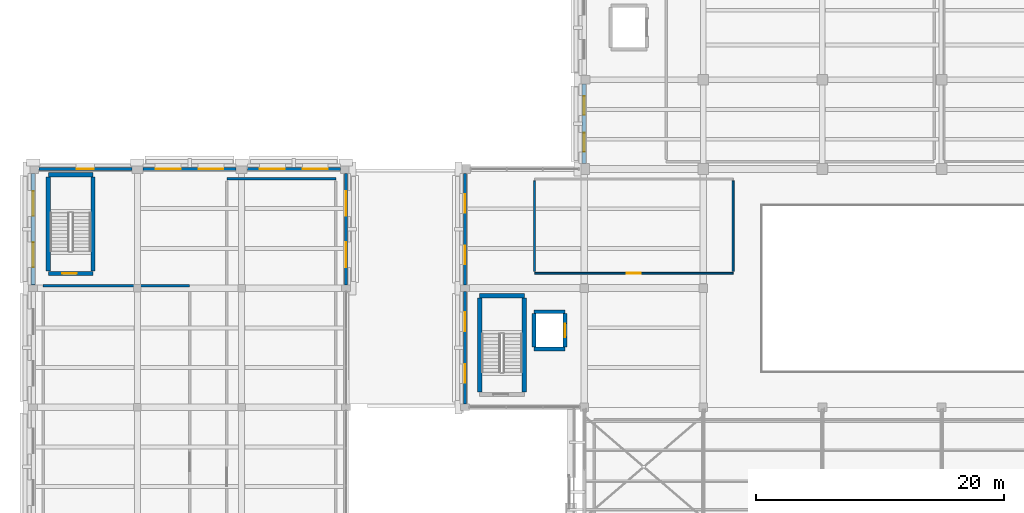
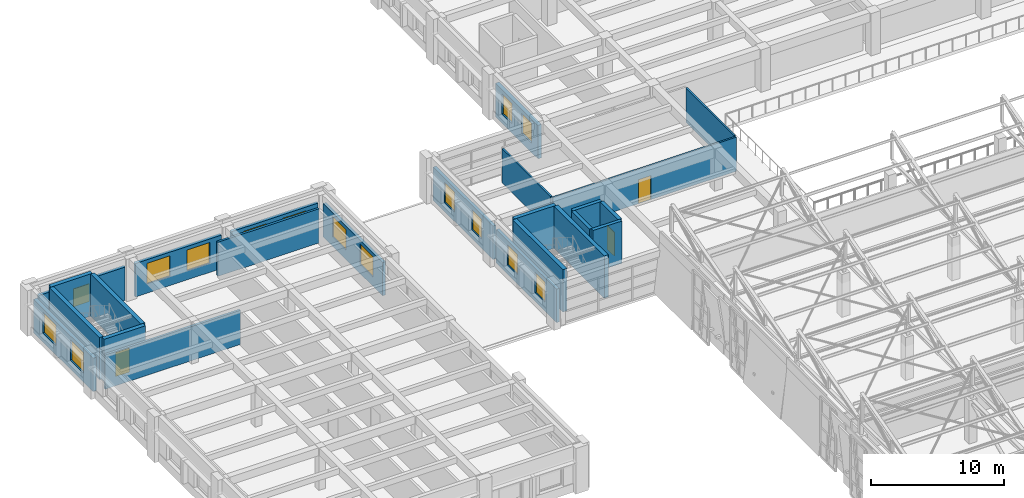
# One storey, part 58 of 71: 24 walls, 15 windows, 3 doors, 18 openings.
"""IFC4 building model written with IfcOpenShell, lengths in metres."""

import ifcopenshell
import ifcopenshell.guid

model = None  # the IFC model being written
_history = None  # IfcOwnerHistory: only IFC2X3 demands one
_inside = {}  # id of a spatial element -> (the spatial element, [elements in it])
_under = {}  # id of a project, library or spatial element -> (it, [spatial elements below it])
_declared = {}  # id of a project -> (the project, [libraries it declares])
_typed = {}  # id of a type object -> (the type object, [elements of that type])
_made_of = {}  # id of a material, layer set ... -> (it, [elements and type objects made of it])


def new_model(schema):
    """Start an empty IFC model of exactly this schema.

    Asked for "IFC4X3", IfcOpenShell would pick the latest addendum, in which some entities
    have other attributes; the version numbers below select the first issue.
    IFC2X3 requires an IfcOwnerHistory on every rooted entity: one is made here for all.
    """
    global model, _history
    if schema == "IFC4X3":
        model = ifcopenshell.file(schema_version=(4, 3, 0, 0))
    else:
        model = ifcopenshell.file(schema=schema)
    _inside.clear()
    _under.clear()
    _declared.clear()
    _typed.clear()
    _made_of.clear()
    _history = None
    if model.schema == "IFC2X3":
        org = make("IfcOrganization", Name="unknown")
        user = make(
            "IfcPersonAndOrganization",
            ThePerson=make("IfcPerson", FamilyName="unknown"),
            TheOrganization=org,
        )
        app = make(
            "IfcApplication",
            ApplicationDeveloper=org,
            Version="unknown",
            ApplicationFullName="unknown",
            ApplicationIdentifier="unknown",
        )
        _history = make(
            "IfcOwnerHistory",
            OwningUser=user,
            OwningApplication=app,
            ChangeAction="ADDED",
            CreationDate=0,
        )
    return model


def make(cls, **values):
    """One entity of the class cls with the attributes given. An attribute that is None is left unset."""
    return model.create_entity(
        cls, **{name: value for name, value in values.items() if value is not None}
    )


def rooted(cls, **values):
    """An entity with a GlobalId (a new one), such as an element, a storey or a relation."""
    return make(cls, GlobalId=ifcopenshell.guid.new(), OwnerHistory=_history, **values)


def si_unit(unit_type, name, prefix=None):
    """IfcSIUnit, for example si_unit("LENGTHUNIT", "METRE", prefix="MILLI")."""
    return make("IfcSIUnit", UnitType=unit_type, Prefix=prefix, Name=name)


def assignment(units):
    """IfcUnitAssignment: the units of a project."""
    return None if units is None else make("IfcUnitAssignment", Units=units)


def point(xyz):
    """IfcCartesianPoint."""
    return None if xyz is None else make("IfcCartesianPoint", Coordinates=xyz)


def direction(xyz):
    """IfcDirection."""
    return None if xyz is None else make("IfcDirection", DirectionRatios=xyz)


def frame(location, z_axis=None, x_axis=None):
    """IfcAxis2Placement3D, a coordinate frame: its origin and axes. An axis left out is left unset."""
    return make(
        "IfcAxis2Placement3D",
        Location=point(location),
        Axis=direction(z_axis),
        RefDirection=direction(x_axis),
    )


def frame_2d(location, x_axis=None):
    """IfcAxis2Placement2D, a coordinate frame in the plane: its origin and x axis."""
    return make(
        "IfcAxis2Placement2D", Location=point(location), RefDirection=direction(x_axis)
    )


def origin():
    """The frame at (0, 0, 0) with its axes left unset."""
    return frame((0.0, 0.0, 0.0))


def place(relative_to, where):
    """IfcLocalPlacement: puts the frame where relative to a parent placement (None: the world)."""
    return make(
        "IfcLocalPlacement", PlacementRelTo=relative_to, RelativePlacement=where
    )


def context(
    kind, dimensions, precision=None, world=None, true_north=None, identifier=None
):
    """IfcGeometricRepresentationContext, for example the 3D "Model" context."""
    return make(
        "IfcGeometricRepresentationContext",
        ContextIdentifier=identifier,
        ContextType=kind,
        CoordinateSpaceDimension=dimensions,
        Precision=precision,
        WorldCoordinateSystem=world,
        TrueNorth=true_north,
    )


def subcontext(parent, identifier, kind, view, scale=None):
    """IfcGeometricRepresentationSubContext, for example "Body" below "Model"."""
    return make(
        "IfcGeometricRepresentationSubContext",
        ContextIdentifier=identifier,
        ContextType=kind,
        ParentContext=parent,
        TargetScale=scale,
        TargetView=view,
    )


def project(units=None, contexts=None):
    """IfcProject with its units and contexts."""
    return rooted(
        "IfcProject",
        Name="project",
        RepresentationContexts=contexts,
        UnitsInContext=assignment(units),
    )


def spatial(cls, under=None, at=None, **own):
    """A site, building, storey or space (cls), placed at a placement, below another one or the project."""
    s = rooted(cls, ObjectPlacement=at, **own)
    if under is not None:
        _under.setdefault(under.id(), (under, []))[1].append(s)
    return s


def profile(cls, at=None, kind="AREA", **sizes):
    """A parametric profile (cls). Its sizes go by their IFC names, for example OverallWidth=200.0."""
    return make(cls, ProfileType=kind, Position=at, **sizes)


def rectangle(**sizes):
    """IfcRectangleProfileDef."""
    return profile("IfcRectangleProfileDef", **sizes)


def extrude(swept, where, along, depth):
    """IfcExtrudedAreaSolid: the profile swept, set in the frame where, extruded along a direction by depth."""
    return make(
        "IfcExtrudedAreaSolid",
        SweptArea=swept,
        Position=where,
        ExtrudedDirection=direction(along),
        Depth=depth,
    )


def shape(context_of_items, identifier, shape_type, items):
    """IfcShapeRepresentation: the items that make up one representation, for example the "Body"."""
    return make(
        "IfcShapeRepresentation",
        ContextOfItems=context_of_items,
        RepresentationIdentifier=identifier,
        RepresentationType=shape_type,
        Items=items,
    )


def material(Name=None, Category=None):
    """IfcMaterial."""
    return make("IfcMaterial", Name=Name, Category=Category)


def layer(
    of_material, thickness, ventilated=None, Name=None, Category=None, Priority=None
):
    """IfcMaterialLayer: one layer of a wall or slab, of a material (None: an air gap)."""
    return make(
        "IfcMaterialLayer",
        Material=of_material,
        LayerThickness=thickness,
        IsVentilated=ventilated,
        Name=Name,
        Category=Category,
        Priority=Priority,
    )


def layer_set(layers, Name=None):
    """IfcMaterialLayerSet."""
    return make("IfcMaterialLayerSet", MaterialLayers=layers, LayerSetName=Name)


def made_of(thing, what):
    """Note that an element or type object is made of a material, layer set ...; save() writes the relation."""
    if what is not None:
        _made_of.setdefault(what.id(), (what, []))[1].append(thing)
    return thing


def type_object(cls, material=None, **own):
    """A type object (cls), such as IfcWallType, which elements share."""
    return made_of(rooted(cls, **own), material)


def element(
    cls,
    number,
    at=None,
    inside=None,
    cuts=None,
    type_object=None,
    material=None,
    context=None,
    identifier="Body",
    shape_type=None,
    held_by="IfcProductDefinitionShape",
    body=None,
    shapes=None,
    **own,
):
    """One element of the class cls, such as IfcWall. Its Tag is "e" and its number.

    at: its placement. inside: the storey or other place that contains it. cuts: it is an
    opening in that element (IfcRelVoidsElement). A single representation is given by context,
    identifier, shape_type and body (its items); several are given by shapes. held_by: the class
    of the entity that holds the representations. save() writes the other relations.
    """
    e = rooted(cls, Tag="e%d" % number, ObjectPlacement=at, **own)
    if body is not None:
        shapes = [shape(context, identifier, shape_type, body)]
    if shapes is not None:
        e.Representation = make(held_by, Representations=shapes)
    if inside is not None:
        _inside.setdefault(inside.id(), (inside, []))[1].append(e)
    if cuts is not None:
        rooted(
            "IfcRelVoidsElement", RelatingBuildingElement=cuts, RelatedOpeningElement=e
        )
    if type_object is not None:
        _typed.setdefault(type_object.id(), (type_object, []))[1].append(e)
    return made_of(e, material)


def fill(opening, filler):
    """IfcRelFillsElement: the door or window that sits in an opening."""
    return rooted(
        "IfcRelFillsElement",
        RelatingOpeningElement=opening,
        RelatedBuildingElement=filler,
    )


def aggregate(whole, parts):
    """IfcRelAggregates: a whole, such as a stair, and the parts it consists of."""
    return rooted("IfcRelAggregates", RelatingObject=whole, RelatedObjects=parts)


def save(model, path):
    """Write the relations noted so far, then the file.

    IfcRelAggregates (storeys below a building ...), IfcRelContainedInSpatialStructure (elements
    in a storey), IfcRelDefinesByType, IfcRelAssociatesMaterial and IfcRelDeclares: one each for
    every whole, place, type object, material and project.
    """
    for whole, parts in _under.values():
        aggregate(whole, parts)
    for where, things in _inside.values():
        rooted(
            "IfcRelContainedInSpatialStructure",
            RelatedElements=things,
            RelatingStructure=where,
        )
    for kind, things in _typed.values():
        rooted("IfcRelDefinesByType", RelatedObjects=things, RelatingType=kind)
    for what, things in _made_of.values():
        rooted("IfcRelAssociatesMaterial", RelatedObjects=things, RelatingMaterial=what)
    for by, libraries in _declared.values():
        rooted("IfcRelDeclares", RelatingContext=by, RelatedDefinitions=libraries)
    model.write(path)


model = new_model("IFC4")

# Units and contexts
model_context = context("Model", 3, precision=1e-05, world=origin(), true_north=direction((0.0, 1.0)))
body_context = subcontext(model_context, "Body", "Model", "MODEL_VIEW")
ifc_project = project(units=[si_unit("LENGTHUNIT", "METRE"), si_unit("AREAUNIT", "SQUARE_METRE"), si_unit("VOLUMEUNIT", "CUBIC_METRE"), si_unit("PLANEANGLEUNIT", "RADIAN"), si_unit("MASSUNIT", "GRAM", prefix="KILO")], contexts=[model_context])

# Site, building, storey
site_placement = place(None, origin())
site = spatial("IfcSite", under=ifc_project, at=site_placement, CompositionType="ELEMENT")
building_placement = place(site_placement, origin())
building = spatial("IfcBuilding", under=site, at=building_placement, Name="Bempovik Park Faculty of Sciences", CompositionType="ELEMENT")
storey_placement = place(building_placement, frame((0.0, 0.0, 14.10009765625)))
storey = spatial("IfcBuildingStorey", under=building, at=storey_placement, Name="L03", CompositionType="ELEMENT", Elevation=14.10009765625)

# Walls
ifc_material_1 = material(Name="Concrete C40/50", Category="concrete")
ifc_layer_1 = layer(ifc_material_1, 0.300048828125)
ifc_layer_set_1 = layer_set([ifc_layer_1], Name="Concrete C40/50")
wall_type_1 = type_object("IfcWallType", Name="W-31 Wall 300mm", PredefinedType="SHEAR", material=ifc_layer_set_1)
for number, where, z_axis, x_axis, name in (
    (1, (55.949951171875, 72.5, 0.0), (0.0, 0.0, 1.0), (1.0, 0.0, 0.0), "Lift LF-3 L03 Shaft Wall South"),
    (2, (55.949951171875, 75.5, 0.0), (0.0, 0.0, 1.0), (1.0, 0.0, 0.0), "Lift LF-3 L03 Shaft Wall North"),
):
    element("IfcWall", number, at=place(storey_placement, frame(where, z_axis=z_axis, x_axis=x_axis)), inside=storey, type_object=wall_type_1, Name=name, PredefinedType="SHEAR", context=body_context, shape_type="SweptSolid", body=[
        extrude(rectangle(XDim=2.5, YDim=0.300048828125, at=frame_2d((1.25, 0.0))), origin(), (0.0, 0.0, 1.0), 3.89990234375),
    ])
wall_1_placement = place(storey_placement, frame((55.949951171875, 72.64990234375, 0.0), z_axis=(0.0, 0.0, 1.0), x_axis=(0.0, 1.0, 0.0)))
element("IfcWall", 3, at=wall_1_placement, inside=storey, type_object=wall_type_1, Name="Lift LF-3 L03 Shaft Wall West", PredefinedType="SHEAR", context=body_context, shape_type="SweptSolid", body=[
    extrude(rectangle(XDim=2.7001953125, YDim=0.300048828125, at=frame_2d((1.35009765625, 0.0))), origin(), (0.0, 0.0, 1.0), 3.89990234375),
])

# Wall, opening, door
wall_2_placement = place(storey_placement, frame((58.449951171875, 72.64990234375, 0.0), z_axis=(0.0, 0.0, 1.0), x_axis=(0.0, 1.0, 0.0)))
wall_2 = element("IfcWall", 4, at=wall_2_placement, inside=storey, type_object=wall_type_1, Name="Lift LF-3 L03 Shaft Wall East", PredefinedType="SHEAR", context=body_context, shape_type="SweptSolid", body=[
    extrude(rectangle(XDim=2.7001953125, YDim=0.300048828125, at=frame_2d((1.35009765625, 0.0))), origin(), (0.0, 0.0, 1.0), 3.89990234375),
])
opening_1_placement = place(wall_2_placement, frame((0.800048828125, 0.0, 0.0)))
opening_1 = element("IfcOpeningElement", 5, at=opening_1_placement, cuts=wall_2, Name="Opening LD-02", PredefinedType="OPENING", context=body_context, shape_type="SweptSolid", body=[
    extrude(rectangle(XDim=1.10009765625, YDim=2.199951171875, at=frame_2d((0.550048828125, 1.10009765625))), frame((0.0, 0.16015625, 0.0), z_axis=(0.0, -1.0, 0.0), x_axis=(1.0, 0.0, 0.0)), (0.0, 0.0, 1.0), 0.320068359375),
])
ifc_material_2 = material(Name="Anodised aluminium", Category="aluminium")
door_type_1 = type_object("IfcDoorType", Name="LD-02 Door 1100x2200", OperationType="NOTDEFINED", PredefinedType="DOOR", material=ifc_material_2)
door_1_placement = place(opening_1_placement, origin())
door_1 = element("IfcDoor", 6, at=door_1_placement, inside=storey, type_object=door_type_1, Name="Lift LF-3 L03 Sliding Landing Door", OperationType="SLIDING_TO_LEFT", OverallHeight=2.199951171875, OverallWidth=1.10009765625, PredefinedType="DOOR", context=body_context, shape_type="SweptSolid", body=[
    extrude(rectangle(XDim=1.10009765625, YDim=2.199951171875, at=frame_2d((0.550048828125, 1.10009765625))), frame((0.0, 0.02490234375, 0.0), z_axis=(0.0, -1.0, 0.0), x_axis=(1.0, 0.0, 0.0)), (0.0, 0.0, 1.0), 0.050048828125),
])
fill(opening_1, door_1)

ifc_material_3 = material(Name="Gypsum acoustic stud assembly")
ifc_layer_2 = layer(ifc_material_3, 0.14990234375)
ifc_layer_set_2 = layer_set([ifc_layer_2], Name="Gypsum acoustic stud assembly")
wall_type_2 = type_object("IfcWallType", Name="W-42 Wall 150mm", PredefinedType="PARTITIONING", material=ifc_layer_set_2)
wall_3_placement = place(storey_placement, frame((56.0, 78.60009765625, 0.0), z_axis=(0.0, 0.0, 1.0), x_axis=(1.0, 0.0, 0.0)))
wall_3 = element("IfcWall", 7, at=wall_3_placement, inside=storey, type_object=wall_type_2, Name="L03 Botanical Herbarium Collection Room Partition South", PredefinedType="PARTITIONING", context=body_context, shape_type="SweptSolid", body=[
    extrude(rectangle(XDim=16.0, YDim=0.14990234375, at=frame_2d((8.0, 0.0))), origin(), (0.0, 0.0, 1.0), 3.14990234375),
])
opening_2_placement = place(wall_3_placement, frame((7.449951171875, 0.0, 0.0)))
opening_2 = element("IfcOpeningElement", 8, at=opening_2_placement, cuts=wall_3, Name="Opening D-65", PredefinedType="OPENING", context=body_context, shape_type="SweptSolid", body=[
    extrude(rectangle(XDim=1.10009765625, YDim=2.199951171875, at=frame_2d((0.550048828125, 1.10009765625))), frame((0.0, 0.0849609375, 0.0), z_axis=(0.0, -1.0, 0.0), x_axis=(1.0, 0.0, 0.0)), (0.0, 0.0, 1.0), 0.169921875),
])
ifc_material_4 = material(Name="West African hardwood finish", Category="wood")
door_type_2 = type_object("IfcDoorType", Name="D-65 Door 1100x2200", OperationType="NOTDEFINED", PredefinedType="DOOR", material=ifc_material_4)
door_2_placement = place(opening_2_placement, origin())
door_2 = element("IfcDoor", 9, at=door_2_placement, inside=storey, type_object=door_type_2, Name="L03 Botanical Herbarium Collection Room Door", OperationType="SINGLE_SWING_LEFT", OverallHeight=2.199951171875, OverallWidth=1.10009765625, PredefinedType="DOOR", context=body_context, shape_type="SweptSolid", body=[
    extrude(rectangle(XDim=1.10009765625, YDim=2.199951171875, at=frame_2d((0.550048828125, 1.10009765625))), frame((0.0, 0.02490234375, 0.0), z_axis=(0.0, -1.0, 0.0), x_axis=(1.0, 0.0, 0.0)), (0.0, 0.0, 1.0), 0.050048828125),
])
fill(opening_2, door_2)

# Walls
for number, where, z_axis, x_axis, name in (
    (10, (56.0, 78.760009765625, 0.0), (0.0, 0.0, 1.0), (0.0, 1.0, 0.0), "L03 Botanical Herbarium Collection Room Partition West"),
    (11, (72.0, 78.760009765625, 0.0), (0.0, 0.0, 1.0), (0.0, 1.0, 0.0), "L03 Botanical Herbarium Collection Room Partition East"),
):
    element("IfcWall", number, at=place(storey_placement, frame(where, z_axis=z_axis, x_axis=x_axis)), inside=storey, type_object=wall_type_2, Name=name, PredefinedType="PARTITIONING", context=body_context, shape_type="SweptSolid", body=[
        extrude(rectangle(XDim=7.280029296875, YDim=0.14990234375, at=frame_2d((3.64013671875, 0.0))), origin(), (0.0, 0.0, 1.0), 3.14990234375),
    ])

# Wall, opening, door
ifc_layer_3 = layer(ifc_material_1, 0.35009765625)
ifc_layer_set_3 = layer_set([ifc_layer_3], Name="Concrete C40/50")
wall_type_3 = type_object("IfcWallType", Name="W-46 Wall 350mm", PredefinedType="SHEAR", material=ifc_layer_set_3)
wall_4_placement = place(storey_placement, frame((16.824951171875, 78.574951171875, 0.0), z_axis=(0.0, 0.0, 1.0), x_axis=(1.0, 0.0, 0.0)))
wall_4 = element("IfcWall", 12, at=wall_4_placement, inside=storey, type_object=wall_type_3, Name="ST-3 L03 Core Shear Wall South", PredefinedType="SHEAR", context=body_context, shape_type="SweptSolid", body=[
    extrude(rectangle(XDim=3.60009765625, YDim=0.35009765625, at=frame_2d((1.800048828125, 0.0))), origin(), (0.0, 0.0, 1.0), 3.89990234375),
])
opening_3_placement = place(wall_4_placement, frame((1.10009765625, 0.0, 0.0)))
opening_3 = element("IfcOpeningElement", 13, at=opening_3_placement, cuts=wall_4, Name="Opening D-49", PredefinedType="OPENING", context=body_context, shape_type="SweptSolid", body=[
    extrude(rectangle(XDim=1.199951171875, YDim=2.199951171875, at=frame_2d((0.60009765625, 1.10009765625))), frame((0.0, 0.18505859375, 0.0), z_axis=(0.0, -1.0, 0.0), x_axis=(1.0, 0.0, 0.0)), (0.0, 0.0, 1.0), 0.3701171875),
])
ifc_material_5 = material(Name="Painted steel S355", Category="steel")
door_type_3 = type_object("IfcDoorType", Name="D-49 Door 1200x2200", OperationType="NOTDEFINED", PredefinedType="DOOR", material=ifc_material_5)
door_3_placement = place(opening_3_placement, origin())
door_3 = element("IfcDoor", 14, at=door_3_placement, inside=storey, type_object=door_type_3, Name="ST-3 L03 Protected Stair Smoke Door", OperationType="SINGLE_SWING_RIGHT", OverallHeight=2.199951171875, OverallWidth=1.199951171875, PredefinedType="DOOR", context=body_context, shape_type="SweptSolid", body=[
    extrude(rectangle(XDim=1.199951171875, YDim=2.199951171875, at=frame_2d((0.60009765625, 1.10009765625))), frame((0.0, 0.02490234375, 0.0), z_axis=(0.0, -1.0, 0.0), x_axis=(1.0, 0.0, 0.0)), (0.0, 0.0, 1.0), 0.050048828125),
])
fill(opening_3, door_3)

# Walls
for number, where, z_axis, x_axis, name in (
    (15, (16.824951171875, 78.77490234375, 0.0), (0.0, 0.0, 1.0), (0.0, 1.0, 0.0), "ST-3 L03 Core Shear Wall West"),
    (16, (20.425048828125, 78.77490234375, 0.0), (0.0, 0.0, 1.0), (0.0, 1.0, 0.0), "ST-3 L03 Core Shear Wall East"),
):
    element("IfcWall", number, at=place(storey_placement, frame(where, z_axis=z_axis, x_axis=x_axis)), inside=storey, type_object=wall_type_3, Name=name, PredefinedType="SHEAR", context=body_context, shape_type="SweptSolid", body=[
        extrude(rectangle(XDim=7.5751953125, YDim=0.35009765625, at=frame_2d((3.78759765625, 0.0))), origin(), (0.0, 0.0, 1.0), 3.89990234375),
    ])
wall_5_placement = place(storey_placement, frame((16.824951171875, 86.550048828125, 0.0), z_axis=(0.0, 0.0, 1.0), x_axis=(1.0, 0.0, 0.0)))
element("IfcWall", 17, at=wall_5_placement, inside=storey, type_object=wall_type_3, Name="ST-3 L03 Core Shear Wall North", PredefinedType="SHEAR", context=body_context, shape_type="SweptSolid", body=[
    extrude(rectangle(XDim=3.60009765625, YDim=0.35009765625, at=frame_2d((1.800048828125, 0.0))), origin(), (0.0, 0.0, 1.0), 3.89990234375),
])
for number, where, z_axis, x_axis, name in (
    (18, (51.574951171875, 69.02490234375, 0.0), (0.0, 0.0, 1.0), (0.0, 1.0, 0.0), "ST-4 L03 Core Shear Wall West"),
    (19, (55.175048828125, 69.02490234375, 0.0), (0.0, 0.0, 1.0), (0.0, 1.0, 0.0), "ST-4 L03 Core Shear Wall East"),
):
    element("IfcWall", number, at=place(storey_placement, frame(where, z_axis=z_axis, x_axis=x_axis)), inside=storey, type_object=wall_type_3, Name=name, PredefinedType="SHEAR", context=body_context, shape_type="SweptSolid", body=[
        extrude(rectangle(XDim=7.5751953125, YDim=0.35009765625, at=frame_2d((3.78759765625, 0.0))), origin(), (0.0, 0.0, 1.0), 3.89990234375),
    ])
wall_6_placement = place(storey_placement, frame((51.574951171875, 76.800048828125, 0.0), z_axis=(0.0, 0.0, 1.0), x_axis=(1.0, 0.0, 0.0)))
element("IfcWall", 20, at=wall_6_placement, inside=storey, type_object=wall_type_3, Name="ST-4 L03 Core Shear Wall North", PredefinedType="SHEAR", context=body_context, shape_type="SweptSolid", body=[
    extrude(rectangle(XDim=3.60009765625, YDim=0.35009765625, at=frame_2d((1.800048828125, 0.0))), origin(), (0.0, 0.0, 1.0), 3.89990234375),
])

# Wall, openings, windows
ifc_material_6 = material(Name="Precast concrete C40/50", Category="concrete")
ifc_layer_4 = layer(ifc_material_6, 0.260009765625)
ifc_layer_set_4 = layer_set([ifc_layer_4], Name="Precast concrete C40/50")
wall_type_4 = type_object("IfcWallType", Name="W-54 Wall 260mm", PredefinedType="SOLIDWALL", material=ifc_layer_set_4)
wall_7_placement = place(storey_placement, frame((50.39990234375, 68.052001953125, 0.0), z_axis=(0.0, 0.0, 1.0), x_axis=(0.0, 1.0, 0.0)))
wall_7 = element("IfcWall", 21, at=wall_7_placement, inside=storey, type_object=wall_type_4, Name="L03 Classical Precast Facade Wall EW-L03-8411", PredefinedType="SOLIDWALL", context=body_context, shape_type="SweptSolid", body=[
    extrude(rectangle(XDim=9.095947265625, YDim=0.260009765625, at=frame_2d((4.5478515625, 0.0))), origin(), (0.0, 0.0, 1.0), 3.079833984375),
])
opening_4_placement = place(wall_7_placement, frame((1.705810546875, 0.0, 0.85009765625)))
opening_4 = element("IfcOpeningElement", 22, at=opening_4_placement, cuts=wall_7, Name="Opening WN-65", PredefinedType="OPENING", context=body_context, shape_type="SweptSolid", body=[
    extrude(rectangle(XDim=1.5, YDim=1.85009765625, at=frame_2d((0.75, 0.925048828125))), frame((0.0, 0.14013671875, 0.0), z_axis=(0.0, -1.0, 0.0), x_axis=(1.0, 0.0, 0.0)), (0.0, 0.0, 1.0), 0.280029296875),
])
opening_5_placement = place(wall_7_placement, frame((5.89013671875, 0.0, 0.85009765625)))
opening_5 = element("IfcOpeningElement", 23, at=opening_5_placement, cuts=wall_7, Name="Opening WN-65", PredefinedType="OPENING", context=body_context, shape_type="SweptSolid", body=[
    extrude(rectangle(XDim=1.5, YDim=1.85009765625, at=frame_2d((0.75, 0.925048828125))), frame((0.0, 0.14013671875, 0.0), z_axis=(0.0, -1.0, 0.0), x_axis=(1.0, 0.0, 0.0)), (0.0, 0.0, 1.0), 0.280029296875),
])
ifc_material_7 = material(Name="Tempered laminated low-E glass", Category="glass")
window_type_1 = type_object("IfcWindowType", Name="WN-65 Window 1500x1850", PartitioningType="SINGLE_PANEL", PredefinedType="WINDOW", material=ifc_material_7)
window_1_placement = place(opening_4_placement, origin())
window_1 = element("IfcWindow", 24, at=window_1_placement, inside=storey, type_object=window_type_1, Name="L03 Window EW-L03-8411-1", OverallHeight=1.85009765625, OverallWidth=1.5, PartitioningType="SINGLE_PANEL", PredefinedType="WINDOW", context=body_context, shape_type="SweptSolid", body=[
    extrude(rectangle(XDim=1.5, YDim=1.85009765625, at=frame_2d((0.75, 0.925048828125))), frame((0.0, 0.030029296875, 0.0), z_axis=(0.0, -1.0, 0.0), x_axis=(1.0, 0.0, 0.0)), (0.0, 0.0, 1.0), 0.06005859375),
])
fill(opening_4, window_1)
window_2_placement = place(opening_5_placement, origin())
window_2 = element("IfcWindow", 25, at=window_2_placement, inside=storey, type_object=window_type_1, Name="L03 Window EW-L03-8411-2", OverallHeight=1.85009765625, OverallWidth=1.5, PartitioningType="SINGLE_PANEL", PredefinedType="WINDOW", context=body_context, shape_type="SweptSolid", body=[
    extrude(rectangle(XDim=1.5, YDim=1.85009765625, at=frame_2d((0.75, 0.925048828125))), frame((0.0, 0.030029296875, 0.0), z_axis=(0.0, -1.0, 0.0), x_axis=(1.0, 0.0, 0.0)), (0.0, 0.0, 1.0), 0.06005859375),
])
fill(opening_5, window_2)

wall_8_placement = place(storey_placement, frame((50.39990234375, 77.652099609375, 0.0), z_axis=(0.0, 0.0, 1.0), x_axis=(0.0, 1.0, 0.0)))
wall_8 = element("IfcWall", 26, at=wall_8_placement, inside=storey, type_object=wall_type_4, Name="L03 Classical Precast Facade Wall EW-L03-8424", PredefinedType="SOLIDWALL", context=body_context, shape_type="SweptSolid", body=[
    extrude(rectangle(XDim=8.995849609375, YDim=0.260009765625, at=frame_2d((4.498046875, 0.0))), origin(), (0.0, 0.0, 1.0), 3.079833984375),
])
opening_6_placement = place(wall_8_placement, frame((1.678955078125, 0.0, 0.85009765625)))
opening_6 = element("IfcOpeningElement", 27, at=opening_6_placement, cuts=wall_8, Name="Opening WN-65", PredefinedType="OPENING", context=body_context, shape_type="SweptSolid", body=[
    extrude(rectangle(XDim=1.5, YDim=1.85009765625, at=frame_2d((0.75, 0.925048828125))), frame((0.0, 0.14013671875, 0.0), z_axis=(0.0, -1.0, 0.0), x_axis=(1.0, 0.0, 0.0)), (0.0, 0.0, 1.0), 0.280029296875),
])
opening_7_placement = place(wall_8_placement, frame((5.817138671875, 0.0, 0.85009765625)))
opening_7 = element("IfcOpeningElement", 28, at=opening_7_placement, cuts=wall_8, Name="Opening WN-65", PredefinedType="OPENING", context=body_context, shape_type="SweptSolid", body=[
    extrude(rectangle(XDim=1.5, YDim=1.85009765625, at=frame_2d((0.75, 0.925048828125))), frame((0.0, 0.14013671875, 0.0), z_axis=(0.0, -1.0, 0.0), x_axis=(1.0, 0.0, 0.0)), (0.0, 0.0, 1.0), 0.280029296875),
])
window_3_placement = place(opening_6_placement, origin())
window_3 = element("IfcWindow", 29, at=window_3_placement, inside=storey, type_object=window_type_1, Name="L03 Window EW-L03-8424-1", OverallHeight=1.85009765625, OverallWidth=1.5, PartitioningType="SINGLE_PANEL", PredefinedType="WINDOW", context=body_context, shape_type="SweptSolid", body=[
    extrude(rectangle(XDim=1.5, YDim=1.85009765625, at=frame_2d((0.75, 0.925048828125))), frame((0.0, 0.030029296875, 0.0), z_axis=(0.0, -1.0, 0.0), x_axis=(1.0, 0.0, 0.0)), (0.0, 0.0, 1.0), 0.06005859375),
])
fill(opening_6, window_3)
window_4_placement = place(opening_7_placement, origin())
window_4 = element("IfcWindow", 30, at=window_4_placement, inside=storey, type_object=window_type_1, Name="L03 Window EW-L03-8424-2", OverallHeight=1.85009765625, OverallWidth=1.5, PartitioningType="SINGLE_PANEL", PredefinedType="WINDOW", context=body_context, shape_type="SweptSolid", body=[
    extrude(rectangle(XDim=1.5, YDim=1.85009765625, at=frame_2d((0.75, 0.925048828125))), frame((0.0, 0.030029296875, 0.0), z_axis=(0.0, -1.0, 0.0), x_axis=(1.0, 0.0, 0.0)), (0.0, 0.0, 1.0), 0.06005859375),
])
fill(opening_7, window_4)

# Wall, opening, window
wall_9_placement = place(storey_placement, frame((16.052001953125, 87.0, 0.0), z_axis=(0.0, 0.0, 1.0), x_axis=(1.0, 0.0, 0.0)))
wall_9 = element("IfcWall", 31, at=wall_9_placement, inside=storey, type_object=wall_type_4, Name="L03 Classical Precast Facade Wall EW-L03-9126", PredefinedType="SOLIDWALL", context=body_context, shape_type="SweptSolid", body=[
    extrude(rectangle(XDim=7.49609375, YDim=0.260009765625, at=frame_2d((3.748046875, 0.0))), origin(), (0.0, 0.0, 1.0), 3.079833984375),
])
opening_8_placement = place(wall_9_placement, frame((3.048095703125, 0.0, 0.89990234375)))
opening_8 = element("IfcOpeningElement", 32, at=opening_8_placement, cuts=wall_9, Name="Opening WN-84", PredefinedType="OPENING", context=body_context, shape_type="SweptSolid", body=[
    extrude(rectangle(XDim=1.39990234375, YDim=1.64990234375, at=frame_2d((0.699951171875, 0.824951171875))), frame((0.0, 0.14013671875, 0.0), z_axis=(0.0, -1.0, 0.0), x_axis=(1.0, 0.0, 0.0)), (0.0, 0.0, 1.0), 0.280029296875),
])
window_type_2 = type_object("IfcWindowType", Name="WN-84 Window 1400x1650", PartitioningType="SINGLE_PANEL", PredefinedType="WINDOW", material=ifc_material_7)
window_5_placement = place(opening_8_placement, origin())
window_5 = element("IfcWindow", 33, at=window_5_placement, inside=storey, type_object=window_type_2, Name="L03 Stairwell Classical Lancet Window EW-L03-9126", OverallHeight=1.64990234375, OverallWidth=1.39990234375, PartitioningType="SINGLE_PANEL", PredefinedType="WINDOW", context=body_context, shape_type="SweptSolid", body=[
    extrude(rectangle(XDim=1.39990234375, YDim=1.64990234375, at=frame_2d((0.699951171875, 0.824951171875))), frame((0.0, 0.030029296875, 0.0), z_axis=(0.0, -1.0, 0.0), x_axis=(1.0, 0.0, 0.0)), (0.0, 0.0, 1.0), 0.06005859375),
])
fill(opening_8, window_5)

# Wall, openings, windows
wall_10_placement = place(storey_placement, frame((24.451904296875, 87.0, 0.0), z_axis=(0.0, 0.0, 1.0), x_axis=(1.0, 0.0, 0.0)))
wall_10 = element("IfcWall", 34, at=wall_10_placement, inside=storey, type_object=wall_type_4, Name="L03 Classical Precast Facade Wall EW-L03-9133", PredefinedType="SOLIDWALL", context=body_context, shape_type="SweptSolid", body=[
    extrude(rectangle(XDim=7.49609375, YDim=0.260009765625, at=frame_2d((3.748046875, 0.0))), origin(), (0.0, 0.0, 1.0), 3.079833984375),
])
opening_9_placement = place(wall_10_placement, frame((1.02392578125, 0.0, 0.85009765625)))
opening_9 = element("IfcOpeningElement", 35, at=opening_9_placement, cuts=wall_10, Name="Opening WN-68", PredefinedType="OPENING", context=body_context, shape_type="SweptSolid", body=[
    extrude(rectangle(XDim=2.0, YDim=1.89990234375, at=frame_2d((1.0, 0.949951171875))), frame((0.0, 0.14013671875, 0.0), z_axis=(0.0, -1.0, 0.0), x_axis=(1.0, 0.0, 0.0)), (0.0, 0.0, 1.0), 0.280029296875),
])
opening_10_placement = place(wall_10_placement, frame((4.47216796875, 0.0, 0.85009765625)))
opening_10 = element("IfcOpeningElement", 36, at=opening_10_placement, cuts=wall_10, Name="Opening WN-68", PredefinedType="OPENING", context=body_context, shape_type="SweptSolid", body=[
    extrude(rectangle(XDim=2.0, YDim=1.89990234375, at=frame_2d((1.0, 0.949951171875))), frame((0.0, 0.14013671875, 0.0), z_axis=(0.0, -1.0, 0.0), x_axis=(1.0, 0.0, 0.0)), (0.0, 0.0, 1.0), 0.280029296875),
])
window_type_3 = type_object("IfcWindowType", Name="WN-68 Window 2000x1900", PartitioningType="SINGLE_PANEL", PredefinedType="WINDOW", material=ifc_material_7)
window_6_placement = place(opening_9_placement, origin())
window_6 = element("IfcWindow", 37, at=window_6_placement, inside=storey, type_object=window_type_3, Name="L03 Window EW-L03-9133-1", OverallHeight=1.89990234375, OverallWidth=2.0, PartitioningType="SINGLE_PANEL", PredefinedType="WINDOW", context=body_context, shape_type="SweptSolid", body=[
    extrude(rectangle(XDim=2.0, YDim=1.89990234375, at=frame_2d((1.0, 0.949951171875))), frame((0.0, 0.030029296875, 0.0), z_axis=(0.0, -1.0, 0.0), x_axis=(1.0, 0.0, 0.0)), (0.0, 0.0, 1.0), 0.06005859375),
])
fill(opening_9, window_6)
window_7_placement = place(opening_10_placement, origin())
window_7 = element("IfcWindow", 38, at=window_7_placement, inside=storey, type_object=window_type_3, Name="L03 Window EW-L03-9133-2", OverallHeight=1.89990234375, OverallWidth=2.0, PartitioningType="SINGLE_PANEL", PredefinedType="WINDOW", context=body_context, shape_type="SweptSolid", body=[
    extrude(rectangle(XDim=2.0, YDim=1.89990234375, at=frame_2d((1.0, 0.949951171875))), frame((0.0, 0.030029296875, 0.0), z_axis=(0.0, -1.0, 0.0), x_axis=(1.0, 0.0, 0.0)), (0.0, 0.0, 1.0), 0.06005859375),
])
fill(opening_10, window_7)

wall_11_placement = place(storey_placement, frame((32.85205078125, 87.0, 0.0), z_axis=(0.0, 0.0, 1.0), x_axis=(1.0, 0.0, 0.0)))
wall_11 = element("IfcWall", 39, at=wall_11_placement, inside=storey, type_object=wall_type_4, Name="L03 Classical Precast Facade Wall EW-L03-9145", PredefinedType="SOLIDWALL", context=body_context, shape_type="SweptSolid", body=[
    extrude(rectangle(XDim=7.495849609375, YDim=0.260009765625, at=frame_2d((3.748046875, 0.0))), origin(), (0.0, 0.0, 1.0), 3.079833984375),
])
opening_11_placement = place(wall_11_placement, frame((1.02392578125, 0.0, 0.85009765625)))
opening_11 = element("IfcOpeningElement", 40, at=opening_11_placement, cuts=wall_11, Name="Opening WN-68", PredefinedType="OPENING", context=body_context, shape_type="SweptSolid", body=[
    extrude(rectangle(XDim=2.0, YDim=1.89990234375, at=frame_2d((1.0, 0.949951171875))), frame((0.0, 0.14013671875, 0.0), z_axis=(0.0, -1.0, 0.0), x_axis=(1.0, 0.0, 0.0)), (0.0, 0.0, 1.0), 0.280029296875),
])
opening_12_placement = place(wall_11_placement, frame((4.47216796875, 0.0, 0.85009765625)))
opening_12 = element("IfcOpeningElement", 41, at=opening_12_placement, cuts=wall_11, Name="Opening WN-68", PredefinedType="OPENING", context=body_context, shape_type="SweptSolid", body=[
    extrude(rectangle(XDim=2.0, YDim=1.89990234375, at=frame_2d((1.0, 0.949951171875))), frame((0.0, 0.14013671875, 0.0), z_axis=(0.0, -1.0, 0.0), x_axis=(1.0, 0.0, 0.0)), (0.0, 0.0, 1.0), 0.280029296875),
])
window_8_placement = place(opening_11_placement, origin())
window_8 = element("IfcWindow", 42, at=window_8_placement, inside=storey, type_object=window_type_3, Name="L03 Window EW-L03-9145-1", OverallHeight=1.89990234375, OverallWidth=2.0, PartitioningType="SINGLE_PANEL", PredefinedType="WINDOW", context=body_context, shape_type="SweptSolid", body=[
    extrude(rectangle(XDim=2.0, YDim=1.89990234375, at=frame_2d((1.0, 0.949951171875))), frame((0.0, 0.030029296875, 0.0), z_axis=(0.0, -1.0, 0.0), x_axis=(1.0, 0.0, 0.0)), (0.0, 0.0, 1.0), 0.06005859375),
])
fill(opening_11, window_8)
window_9_placement = place(opening_12_placement, origin())
window_9 = element("IfcWindow", 43, at=window_9_placement, inside=storey, type_object=window_type_3, Name="L03 Window EW-L03-9145-2", OverallHeight=1.89990234375, OverallWidth=2.0, PartitioningType="SINGLE_PANEL", PredefinedType="WINDOW", context=body_context, shape_type="SweptSolid", body=[
    extrude(rectangle(XDim=2.0, YDim=1.89990234375, at=frame_2d((1.0, 0.949951171875))), frame((0.0, 0.030029296875, 0.0), z_axis=(0.0, -1.0, 0.0), x_axis=(1.0, 0.0, 0.0)), (0.0, 0.0, 1.0), 0.06005859375),
])
fill(opening_12, window_9)

wall_12_placement = place(storey_placement, frame((40.800048828125, 77.672119140625, 0.0), z_axis=(0.0, 0.0, 1.0), x_axis=(0.0, 1.0, 0.0)))
wall_12 = element("IfcWall", 44, at=wall_12_placement, inside=storey, type_object=wall_type_4, Name="L03 Classical Precast Facade Wall EW-L03-9206", PredefinedType="SOLIDWALL", context=body_context, shape_type="SweptSolid", body=[
    extrude(rectangle(XDim=8.975830078125, YDim=0.260009765625, at=frame_2d((4.48779296875, 0.0))), origin(), (0.0, 0.0, 1.0), 3.079833984375),
])
opening_13_placement = place(wall_12_placement, frame((1.423583984375, 0.0, 0.85009765625)))
opening_13 = element("IfcOpeningElement", 45, at=opening_13_placement, cuts=wall_12, Name="Opening WN-68", PredefinedType="OPENING", context=body_context, shape_type="SweptSolid", body=[
    extrude(rectangle(XDim=2.0, YDim=1.89990234375, at=frame_2d((1.0, 0.949951171875))), frame((0.0, 0.14013671875, 0.0), z_axis=(0.0, -1.0, 0.0), x_axis=(1.0, 0.0, 0.0)), (0.0, 0.0, 1.0), 0.280029296875),
])
opening_14_placement = place(wall_12_placement, frame((5.552490234375, 0.0, 0.85009765625)))
opening_14 = element("IfcOpeningElement", 46, at=opening_14_placement, cuts=wall_12, Name="Opening WN-68", PredefinedType="OPENING", context=body_context, shape_type="SweptSolid", body=[
    extrude(rectangle(XDim=2.0, YDim=1.89990234375, at=frame_2d((1.0, 0.949951171875))), frame((0.0, 0.14013671875, 0.0), z_axis=(0.0, -1.0, 0.0), x_axis=(1.0, 0.0, 0.0)), (0.0, 0.0, 1.0), 0.280029296875),
])
window_10_placement = place(opening_13_placement, origin())
window_10 = element("IfcWindow", 47, at=window_10_placement, inside=storey, type_object=window_type_3, Name="L03 Window EW-L03-9206-1", OverallHeight=1.89990234375, OverallWidth=2.0, PartitioningType="SINGLE_PANEL", PredefinedType="WINDOW", context=body_context, shape_type="SweptSolid", body=[
    extrude(rectangle(XDim=2.0, YDim=1.89990234375, at=frame_2d((1.0, 0.949951171875))), frame((0.0, 0.030029296875, 0.0), z_axis=(0.0, -1.0, 0.0), x_axis=(1.0, 0.0, 0.0)), (0.0, 0.0, 1.0), 0.06005859375),
])
fill(opening_13, window_10)
window_11_placement = place(opening_14_placement, origin())
window_11 = element("IfcWindow", 48, at=window_11_placement, inside=storey, type_object=window_type_3, Name="L03 Window EW-L03-9206-2", OverallHeight=1.89990234375, OverallWidth=2.0, PartitioningType="SINGLE_PANEL", PredefinedType="WINDOW", context=body_context, shape_type="SweptSolid", body=[
    extrude(rectangle(XDim=2.0, YDim=1.89990234375, at=frame_2d((1.0, 0.949951171875))), frame((0.0, 0.030029296875, 0.0), z_axis=(0.0, -1.0, 0.0), x_axis=(1.0, 0.0, 0.0)), (0.0, 0.0, 1.0), 0.06005859375),
])
fill(opening_14, window_11)

ifc_layer_5 = layer(ifc_material_6, 0.320068359375)
ifc_layer_set_5 = layer_set([ifc_layer_5], Name="Precast concrete C40/50")
wall_type_5 = type_object("IfcWallType", Name="W-56 Wall 320mm", PredefinedType="SOLIDWALL", material=ifc_layer_set_5)
wall_13_placement = place(storey_placement, frame((60.0, 87.427001953125, 0.0), z_axis=(0.0, 0.0, 1.0), x_axis=(0.0, 1.0, 0.0)))
wall_13 = element("IfcWall", 49, at=wall_13_placement, inside=storey, type_object=wall_type_5, Name="L03 Classical Precast Facade Wall EW-L03-8454", PredefinedType="SOLIDWALL", context=body_context, shape_type="SweptSolid", body=[
    extrude(rectangle(XDim=6.4208984375, YDim=0.320068359375, at=frame_2d((3.21044921875, 0.0))), origin(), (0.0, 0.0, 1.0), 3.079833984375),
])
opening_15_placement = place(wall_13_placement, frame((0.983642578125, 0.0, 0.85009765625)))
opening_15 = element("IfcOpeningElement", 50, at=opening_15_placement, cuts=wall_13, Name="Opening WN-65", PredefinedType="OPENING", context=body_context, shape_type="SweptSolid", body=[
    extrude(rectangle(XDim=1.5, YDim=1.85009765625, at=frame_2d((0.75, 0.925048828125))), frame((0.0, 0.169921875, 0.0), z_axis=(0.0, -1.0, 0.0), x_axis=(1.0, 0.0, 0.0)), (0.0, 0.0, 1.0), 0.340087890625),
])
opening_16_placement = place(wall_13_placement, frame((3.937255859375, 0.0, 0.85009765625)))
opening_16 = element("IfcOpeningElement", 51, at=opening_16_placement, cuts=wall_13, Name="Opening WN-65", PredefinedType="OPENING", context=body_context, shape_type="SweptSolid", body=[
    extrude(rectangle(XDim=1.5, YDim=1.85009765625, at=frame_2d((0.75, 0.925048828125))), frame((0.0, 0.169921875, 0.0), z_axis=(0.0, -1.0, 0.0), x_axis=(1.0, 0.0, 0.0)), (0.0, 0.0, 1.0), 0.340087890625),
])
window_12_placement = place(opening_15_placement, origin())
window_12 = element("IfcWindow", 52, at=window_12_placement, inside=storey, type_object=window_type_1, Name="L03 Window EW-L03-8454-1", OverallHeight=1.85009765625, OverallWidth=1.5, PartitioningType="SINGLE_PANEL", PredefinedType="WINDOW", context=body_context, shape_type="SweptSolid", body=[
    extrude(rectangle(XDim=1.5, YDim=1.85009765625, at=frame_2d((0.75, 0.925048828125))), frame((0.0, 0.030029296875, 0.0), z_axis=(0.0, -1.0, 0.0), x_axis=(1.0, 0.0, 0.0)), (0.0, 0.0, 1.0), 0.06005859375),
])
fill(opening_15, window_12)
window_13_placement = place(opening_16_placement, origin())
window_13 = element("IfcWindow", 53, at=window_13_placement, inside=storey, type_object=window_type_1, Name="L03 Window EW-L03-8454-2", OverallHeight=1.85009765625, OverallWidth=1.5, PartitioningType="SINGLE_PANEL", PredefinedType="WINDOW", context=body_context, shape_type="SweptSolid", body=[
    extrude(rectangle(XDim=1.5, YDim=1.85009765625, at=frame_2d((0.75, 0.925048828125))), frame((0.0, 0.030029296875, 0.0), z_axis=(0.0, -1.0, 0.0), x_axis=(1.0, 0.0, 0.0)), (0.0, 0.0, 1.0), 0.06005859375),
])
fill(opening_16, window_13)

wall_14_placement = place(storey_placement, frame((15.60009765625, 77.672119140625, 0.0), z_axis=(0.0, 0.0, 1.0), x_axis=(0.0, 1.0, 0.0)))
wall_14 = element("IfcWall", 54, at=wall_14_placement, inside=storey, type_object=wall_type_5, Name="L03 Classical Precast Facade Wall EW-L03-9291", PredefinedType="SOLIDWALL", context=body_context, shape_type="SweptSolid", body=[
    extrude(rectangle(XDim=8.975830078125, YDim=0.320068359375, at=frame_2d((4.48779296875, 0.0))), origin(), (0.0, 0.0, 1.0), 3.079833984375),
])
opening_17_placement = place(wall_14_placement, frame((1.423583984375, 0.0, 0.85009765625)))
opening_17 = element("IfcOpeningElement", 55, at=opening_17_placement, cuts=wall_14, Name="Opening WN-68", PredefinedType="OPENING", context=body_context, shape_type="SweptSolid", body=[
    extrude(rectangle(XDim=2.0, YDim=1.89990234375, at=frame_2d((1.0, 0.949951171875))), frame((0.0, 0.169921875, 0.0), z_axis=(0.0, -1.0, 0.0), x_axis=(1.0, 0.0, 0.0)), (0.0, 0.0, 1.0), 0.340087890625),
])
opening_18_placement = place(wall_14_placement, frame((5.552490234375, 0.0, 0.85009765625)))
opening_18 = element("IfcOpeningElement", 56, at=opening_18_placement, cuts=wall_14, Name="Opening WN-68", PredefinedType="OPENING", context=body_context, shape_type="SweptSolid", body=[
    extrude(rectangle(XDim=2.0, YDim=1.89990234375, at=frame_2d((1.0, 0.949951171875))), frame((0.0, 0.169921875, 0.0), z_axis=(0.0, -1.0, 0.0), x_axis=(1.0, 0.0, 0.0)), (0.0, 0.0, 1.0), 0.340087890625),
])
window_14_placement = place(opening_17_placement, origin())
window_14 = element("IfcWindow", 57, at=window_14_placement, inside=storey, type_object=window_type_3, Name="L03 Window EW-L03-9291-1", OverallHeight=1.89990234375, OverallWidth=2.0, PartitioningType="SINGLE_PANEL", PredefinedType="WINDOW", context=body_context, shape_type="SweptSolid", body=[
    extrude(rectangle(XDim=2.0, YDim=1.89990234375, at=frame_2d((1.0, 0.949951171875))), frame((0.0, 0.030029296875, 0.0), z_axis=(0.0, -1.0, 0.0), x_axis=(1.0, 0.0, 0.0)), (0.0, 0.0, 1.0), 0.06005859375),
])
fill(opening_17, window_14)
window_15_placement = place(opening_18_placement, origin())
window_15 = element("IfcWindow", 58, at=window_15_placement, inside=storey, type_object=window_type_3, Name="L03 Window EW-L03-9291-2", OverallHeight=1.89990234375, OverallWidth=2.0, PartitioningType="SINGLE_PANEL", PredefinedType="WINDOW", context=body_context, shape_type="SweptSolid", body=[
    extrude(rectangle(XDim=2.0, YDim=1.89990234375, at=frame_2d((1.0, 0.949951171875))), frame((0.0, 0.030029296875, 0.0), z_axis=(0.0, -1.0, 0.0), x_axis=(1.0, 0.0, 0.0)), (0.0, 0.0, 1.0), 0.06005859375),
])
fill(opening_18, window_15)

# Walls
ifc_material_8 = material(Name="Concrete C35/45", Category="concrete")
ifc_layer_6 = layer(ifc_material_8, 0.199951171875)
ifc_layer_set_6 = layer_set([ifc_layer_6], Name="Concrete C35/45")
wall_type_6 = type_object("IfcWallType", Name="W-59 Wall 200mm", PredefinedType="PARTITIONING", material=ifc_layer_set_6)
wall_15_placement = place(storey_placement, frame((16.39990234375, 77.60009765625, 0.0), z_axis=(0.0, 0.0, 1.0), x_axis=(1.0, 0.0, 0.0)))
element("IfcWall", 59, at=wall_15_placement, inside=storey, type_object=wall_type_6, Name="L03 Environmental Science Teaching Laboratory Partition North", PredefinedType="PARTITIONING", context=body_context, shape_type="SweptSolid", body=[
    extrude(rectangle(XDim=11.800048828125, YDim=0.199951171875, at=frame_2d((5.89990234375, 0.0))), origin(), (0.0, 0.0, 1.0), 3.14990234375),
])
wall_16_placement = place(storey_placement, frame((31.199951171875, 86.199951171875, 0.0), z_axis=(0.0, 0.0, 1.0), x_axis=(1.0, 0.0, 0.0)))
element("IfcWall", 60, at=wall_16_placement, inside=storey, type_object=wall_type_6, Name="L03 Marine Ecology Wet Laboratory Partition North", PredefinedType="PARTITIONING", context=body_context, shape_type="SweptSolid", body=[
    extrude(rectangle(XDim=8.800048828125, YDim=0.199951171875, at=frame_2d((4.39990234375, 0.0))), origin(), (0.0, 0.0, 1.0), 3.14990234375),
])

save(model, "model.ifc")
